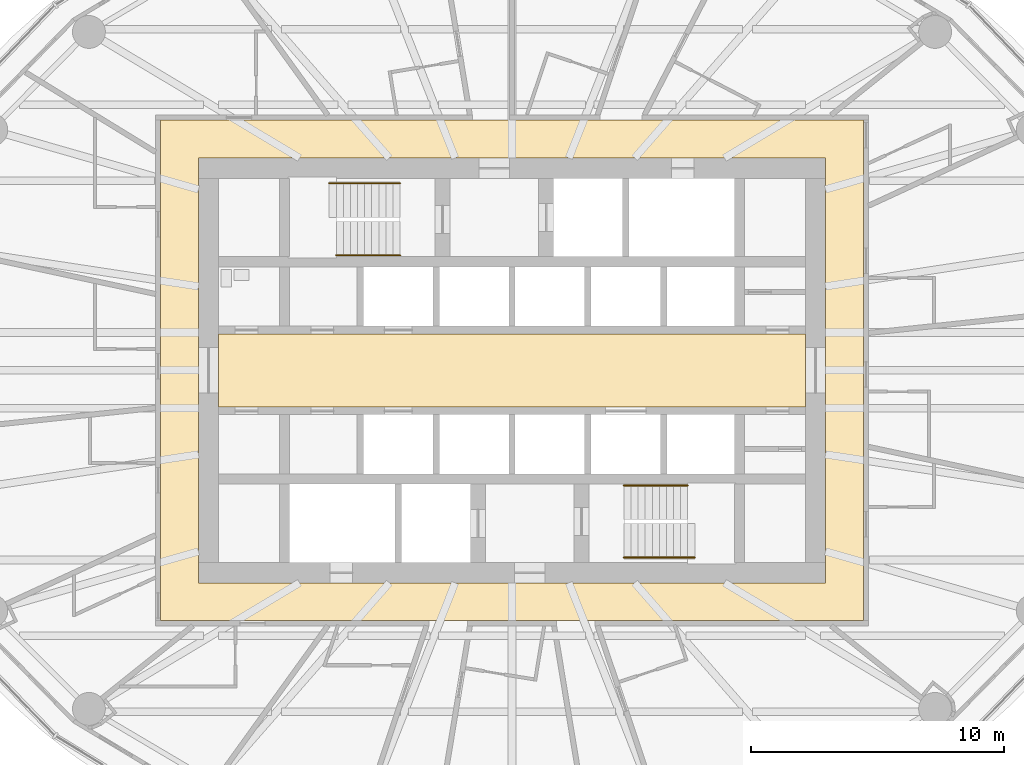
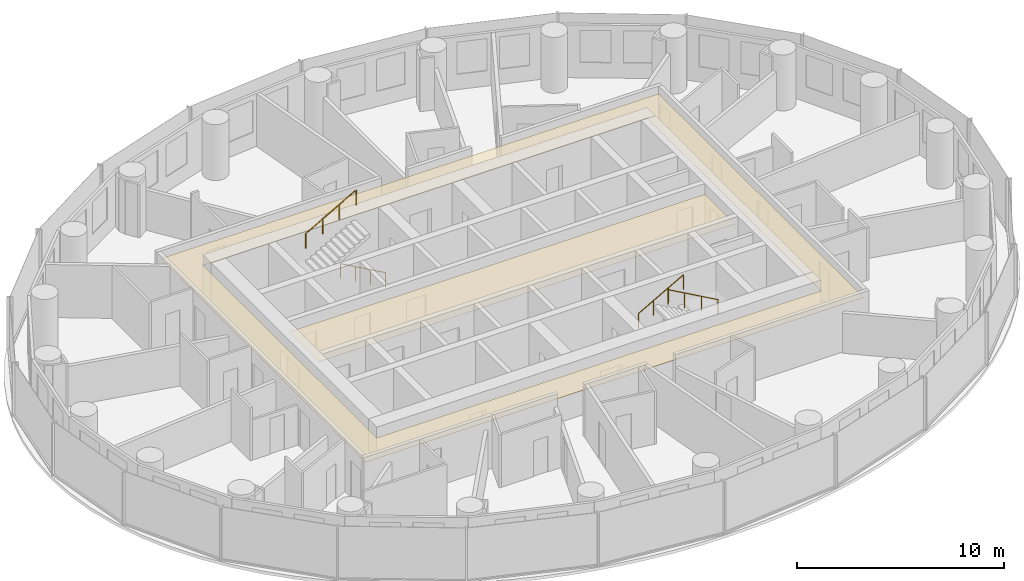
# One storey, part 13 of 14: 4 railings, 2 coverings.
"""IFC4 building model written with IfcOpenShell, lengths in metres."""

from ifc_helpers import new_model, si_unit, direction, frame, origin, origin_2d, place, context, subcontext, project, spatial, polyline, circle, outline, extrude, material, layer, layer_set, type_object, element, save


model = new_model("IFC4")

# Units and contexts
model_context = context("Model", 3, precision=1e-05, world=origin(), true_north=direction((0.0, 1.0)))
body_context = subcontext(model_context, "Body", "Model", "MODEL_VIEW")
ifc_project = project(units=[si_unit("LENGTHUNIT", "METRE"), si_unit("AREAUNIT", "SQUARE_METRE"), si_unit("VOLUMEUNIT", "CUBIC_METRE"), si_unit("PLANEANGLEUNIT", "RADIAN"), si_unit("MASSUNIT", "GRAM", prefix="KILO")], contexts=[model_context])

# Site, building, storey
site_placement = place(None, origin())
site = spatial("IfcSite", under=ifc_project, at=site_placement, CompositionType="ELEMENT")
building_placement = place(site_placement, origin())
building = spatial("IfcBuilding", under=site, at=building_placement, Name="Hankou Lantern Tower", CompositionType="ELEMENT")
storey_placement = place(building_placement, frame((0.0, 0.0, 108.89990234375)))
storey = spatial("IfcBuildingStorey", under=building, at=storey_placement, Name="L27", CompositionType="ELEMENT", Elevation=108.89990234375)

# Coverings
ifc_material_1 = material(Name="Black painted aluminium linear ceiling panels", Category="aluminium")
ifc_layer_1 = layer(ifc_material_1, 0.02490234375)
ifc_layer_set_1 = layer_set([ifc_layer_1], Name="Black painted aluminium linear ceiling panels")
covering_type_1 = type_object("IfcCoveringType", Name="CL1 CORRIDOR CEILING 25", PredefinedType="CEILING", material=ifc_layer_set_1)
covering_1_placement = place(storey_placement, frame((0.0, 0.0, 2.64501953125)))
element("IfcCovering", 1, at=covering_1_placement, inside=storey, type_object=covering_type_1, Name="Corridor ceiling L27", PredefinedType="CEILING", context=body_context, shape_type="SweptSolid", body=[
    extrude(outline(polyline([(-13.89990234375, -9.89990234375), (13.89990234375, -9.89990234375), (13.89990234375, 9.89990234375), (-13.89990234375, 9.89990234375), (-13.89990234375, -9.89990234375)]), holes=[polyline([(-12.39990234375, 8.39990234375), (12.39990234375, 8.39990234375), (12.39990234375, -8.39990234375), (-12.39990234375, -8.39990234375), (-12.39990234375, 8.39990234375)])]), origin(), (0.0, 0.0, 1.0), 0.025146484375),
])
ifc_material_2 = material(Name="Perforated black aluminium acoustic tray ceiling", Category="aluminium")
ifc_layer_2 = layer(ifc_material_2, 0.014892578125)
ifc_layer_set_2 = layer_set([ifc_layer_2], Name="Perforated black aluminium acoustic tray ceiling")
covering_type_2 = type_object("IfcCoveringType", Name="CL2 LIFT LOBBY CEILING 15", PredefinedType="CEILING", material=ifc_layer_set_2)
covering_2_placement = place(storey_placement, frame((0.0, 0.0, 2.655029296875)))
element("IfcCovering", 2, at=covering_2_placement, inside=storey, type_object=covering_type_2, Name="Lift lobby ceiling L27", PredefinedType="CEILING", context=body_context, shape_type="SweptSolid", body=[
    extrude(outline(polyline([(-11.60009765625, -1.449951171875), (11.60009765625, -1.449951171875), (11.60009765625, 1.449951171875), (-11.60009765625, 1.449951171875), (-11.60009765625, -1.449951171875)])), origin(), (0.0, 0.0, 1.0), 0.01513671875),
])

# Railings
ifc_material_3 = material(Name="Steel handrail", Category="steel")
railing_type = type_object("IfcRailingType", Name="HR1 STAIR HANDRAIL", PredefinedType="HANDRAIL", material=ifc_material_3)
railing_1_placement = place(storey_placement, frame((-4.429931640625, 4.550048828125, 0.900146484375)))
element("IfcRailing", 3, at=railing_1_placement, inside=storey, type_object=railing_type, Name="Handrail stair STA L27 flight 1", PredefinedType="HANDRAIL", context=body_context, shape_type="SweptSolid", body=[
    extrude(circle(Radius=0.02392578125, at=origin_2d()), frame((0.0, 0.0, 0.8759765625), z_axis=(-0.872048945198, 0.0, 0.489418672692), x_axis=(0.0, -1.0, 0.0)), (0.0, 0.0, 1.0), 2.8896484375),
    extrude(circle(Radius=0.02099609375, at=origin_2d()), origin(), (0.0, 0.0, 1.0), 0.851806640625),
    extrude(circle(Radius=0.02099609375, at=origin_2d()), frame((-0.840087890625, 0.0, 0.471435546875)), (0.0, 0.0, 1.0), 0.851806640625),
    extrude(circle(Radius=0.02099609375, at=origin_2d()), frame((-1.679931640625, 0.0, 0.94287109375)), (0.0, 0.0, 1.0), 0.851806640625),
    extrude(circle(Radius=0.02099609375, at=origin_2d()), frame((-2.52001953125, 0.0, 1.414306640625)), (0.0, 0.0, 1.0), 0.851806640625),
])
railing_2_placement = place(storey_placement, frame((-7.22998046875, 7.39990234375, 2.471435546875)))
element("IfcRailing", 4, at=railing_2_placement, inside=storey, type_object=railing_type, Name="Handrail stair STA L27 flight 2", PredefinedType="HANDRAIL", context=body_context, shape_type="SweptSolid", body=[
    extrude(circle(Radius=0.02392578125, at=origin_2d()), frame((0.0, 0.0, 0.8759765625), z_axis=(0.872040151574, 0.0, 0.489434340891), x_axis=(0.0, 1.0, 0.0)), (0.0, 0.0, 1.0), 3.2109375),
    extrude(circle(Radius=0.02099609375, at=origin_2d()), origin(), (0.0, 0.0, 1.0), 0.851806640625),
    extrude(circle(Radius=0.02099609375, at=origin_2d()), frame((0.933349609375, 0.0, 0.52392578125)), (0.0, 0.0, 1.0), 0.851806640625),
    extrude(circle(Radius=0.02099609375, at=origin_2d()), frame((1.86669921875, 0.0, 1.047607421875)), (0.0, 0.0, 1.0), 0.851806640625),
    extrude(circle(Radius=0.02099609375, at=origin_2d()), frame((2.800048828125, 0.0, 1.571533203125)), (0.0, 0.0, 1.0), 0.851806640625),
])
railing_3_placement = place(storey_placement, frame((4.429931640625, -4.550048828125, 0.900146484375)))
element("IfcRailing", 5, at=railing_3_placement, inside=storey, type_object=railing_type, Name="Handrail stair STB L27 flight 1", PredefinedType="HANDRAIL", context=body_context, shape_type="SweptSolid", body=[
    extrude(circle(Radius=0.02392578125, at=origin_2d()), frame((0.0, 0.0, 0.8759765625), z_axis=(0.872048945198, 0.0, 0.489418672692), x_axis=(0.0, 1.0, 0.0)), (0.0, 0.0, 1.0), 2.8896484375),
    extrude(circle(Radius=0.02099609375, at=origin_2d()), origin(), (0.0, 0.0, 1.0), 0.851806640625),
    extrude(circle(Radius=0.02099609375, at=origin_2d()), frame((0.840087890625, 0.0, 0.471435546875)), (0.0, 0.0, 1.0), 0.851806640625),
    extrude(circle(Radius=0.02099609375, at=origin_2d()), frame((1.679931640625, 0.0, 0.94287109375)), (0.0, 0.0, 1.0), 0.851806640625),
    extrude(circle(Radius=0.02099609375, at=origin_2d()), frame((2.52001953125, 0.0, 1.414306640625)), (0.0, 0.0, 1.0), 0.851806640625),
])
railing_4_placement = place(storey_placement, frame((7.22998046875, -7.39990234375, 2.471435546875)))
element("IfcRailing", 6, at=railing_4_placement, inside=storey, type_object=railing_type, Name="Handrail stair STB L27 flight 2", PredefinedType="HANDRAIL", context=body_context, shape_type="SweptSolid", body=[
    extrude(circle(Radius=0.02392578125, at=origin_2d()), frame((0.0, 0.0, 0.8759765625), z_axis=(-0.872040151574, 0.0, 0.489434340891), x_axis=(0.0, -1.0, 0.0)), (0.0, 0.0, 1.0), 3.2109375),
    extrude(circle(Radius=0.02099609375, at=origin_2d()), origin(), (0.0, 0.0, 1.0), 0.851806640625),
    extrude(circle(Radius=0.02099609375, at=origin_2d()), frame((-0.933349609375, 0.0, 0.52392578125)), (0.0, 0.0, 1.0), 0.851806640625),
    extrude(circle(Radius=0.02099609375, at=origin_2d()), frame((-1.86669921875, 0.0, 1.047607421875)), (0.0, 0.0, 1.0), 0.851806640625),
    extrude(circle(Radius=0.02099609375, at=origin_2d()), frame((-2.800048828125, 0.0, 1.571533203125)), (0.0, 0.0, 1.0), 0.851806640625),
])

save(model, "model.ifc")
